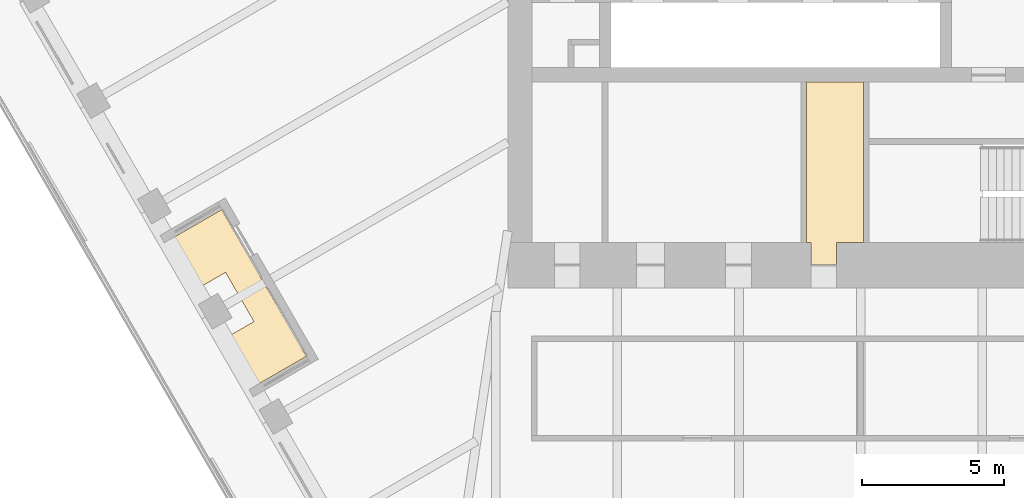
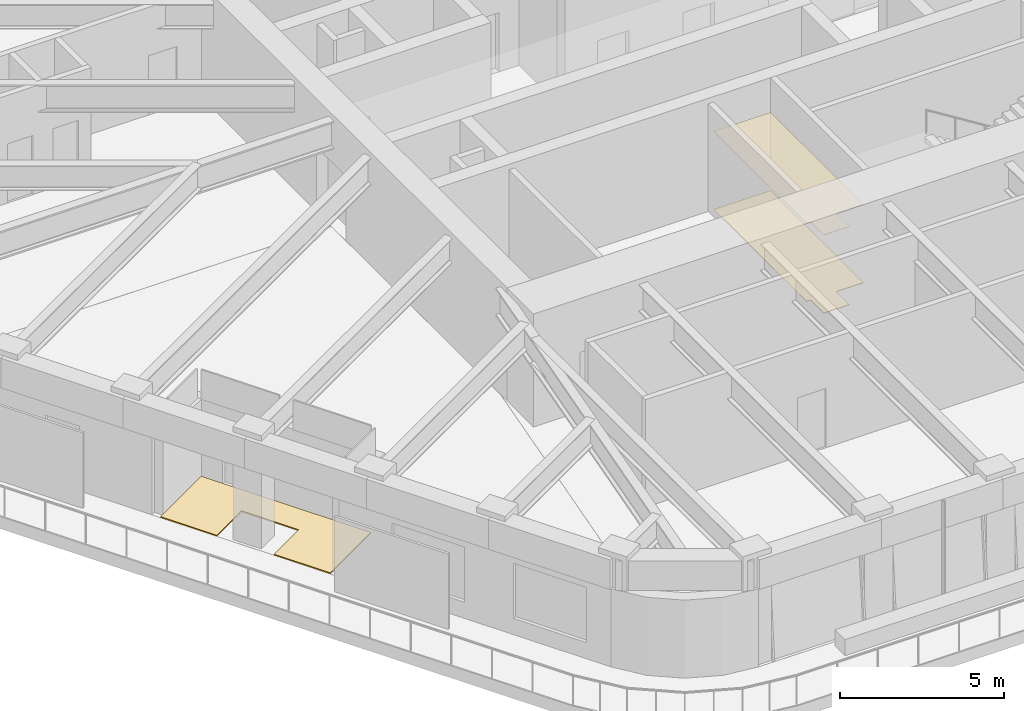
# One storey, part 17 of 19: 3 coverings.
"""IFC4 building model written with IfcOpenShell, lengths in metres."""

from ifc_helpers import new_model, si_unit, direction, frame, origin, place, context, subcontext, project, spatial, polyline, outline, extrude, material, layer, layer_set, type_object, element, save


model = new_model("IFC4")

# Units and contexts
model_context = context("Model", 3, precision=1e-05, world=origin(), true_north=direction((0.0, 1.0)))
body_context = subcontext(model_context, "Body", "Model", "MODEL_VIEW")
ifc_project = project(units=[si_unit("LENGTHUNIT", "METRE"), si_unit("AREAUNIT", "SQUARE_METRE"), si_unit("VOLUMEUNIT", "CUBIC_METRE"), si_unit("PLANEANGLEUNIT", "RADIAN"), si_unit("MASSUNIT", "GRAM", prefix="KILO")], contexts=[model_context])

# Site, building, storey
site_placement = place(None, origin())
site = spatial("IfcSite", under=ifc_project, at=site_placement, CompositionType="ELEMENT")
building_placement = place(site_placement, origin())
building = spatial("IfcBuilding", under=site, at=building_placement, Name="Tarfa Lantern Tower", CompositionType="ELEMENT")
storey_placement = place(building_placement, frame((0.0, 0.0, 340.89990234375)))
storey = spatial("IfcBuildingStorey", under=building, at=storey_placement, Name="L77", CompositionType="ELEMENT", Elevation=340.89990234375)

# Coverings
ifc_material_1 = material(Name="Moisture-resistant plasterboard", Category="finish")
ifc_layer_1 = layer(ifc_material_1, 0.014892578125)
ifc_layer_set_1 = layer_set([ifc_layer_1], Name="CL2 MOISTURE-RESISTANT PLASTERBOARD CEILING 15")
covering_type_1 = type_object("IfcCoveringType", Name="CL2 MOISTURE-RESISTANT PLASTERBOARD CEILING 15", PredefinedType="CEILING", material=ifc_layer_set_1)
covering_1_placement = place(storey_placement, frame((0.0, 0.0, 2.900146484375)))
element("IfcCovering", 1, at=covering_1_placement, inside=storey, type_object=covering_type_1, Name="Ceiling L77-13", PredefinedType="CEILING", context=body_context, shape_type="SweptSolid", body=[
    extrude(outline(polyline([(-0.85009765625, -10.699951171875), (0.10009765625, -10.699951171875), (0.10009765625, -5.050048828125), (-1.89990234375, -5.050048828125), (-1.89990234375, -10.699951171875), (-1.75, -10.699951171875), (-1.75, -11.5), (-1.75, -11.5), (-0.85009765625, -11.5), (-0.85009765625, -10.699951171875)])), origin(), (0.0, 0.0, 1.0), 0.014892578125),
])
ifc_material_2 = material(Name="Porcelain floor tile", Category="finish")
ifc_layer_2 = layer(ifc_material_2, 0.011962890625)
ifc_layer_set_2 = layer_set([ifc_layer_2], Name="FL3 CERAMIC TILE 12")
covering_type_2 = type_object("IfcCoveringType", Name="FL3 CERAMIC TILE 12", PredefinedType="FLOORING", material=ifc_layer_set_2)
covering_2_placement = place(storey_placement, origin())
element("IfcCovering", 2, at=covering_2_placement, inside=storey, type_object=covering_type_2, Name="Floor finish L77-13", PredefinedType="FLOORING", context=body_context, shape_type="SweptSolid", body=[
    extrude(outline(polyline([(-0.85009765625, -10.699951171875), (0.10009765625, -10.699951171875), (0.10009765625, -5.050048828125), (-1.89990234375, -5.050048828125), (-1.89990234375, -10.699951171875), (-1.75, -10.699951171875), (-1.75, -11.5), (-1.75, -11.5), (-0.85009765625, -11.5), (-0.85009765625, -10.699951171875)])), origin(), (0.0, 0.0, 1.0), 0.01220703125),
])
ifc_material_3 = material(Name="Porcelain pavers on pedestals", Category="ceramic")
ifc_layer_3 = layer(ifc_material_3, 0.0400390625)
ifc_layer_set_3 = layer_set([ifc_layer_3], Name="LP1 LOGGIA PAVING 40")
covering_type_3 = type_object("IfcCoveringType", Name="LP1 LOGGIA PAVING 40", PredefinedType="FLOORING", material=ifc_layer_set_3)
covering_3_placement = place(storey_placement, origin())
element("IfcCovering", 3, at=covering_3_placement, inside=storey, type_object=covering_type_3, Name="Terrace paving SW", PredefinedType="FLOORING", context=body_context, shape_type="SweptSolid", body=[
    extrude(outline(polyline([(-24.6572265625, -10.79248046875), (-22.509521484375, -9.552490234375), (-19.52734375, -14.717529296875), (-21.67529296875, -15.95751953125), (-22.666259765625, -14.240966796875), (-21.3671875, -13.490966796875), (-22.3671875, -11.759033203125), (-23.666259765625, -12.509033203125), (-24.6572265625, -10.79248046875)])), origin(), (0.0, 0.0, 1.0), 0.0400390625),
])

save(model, "model.ifc")
